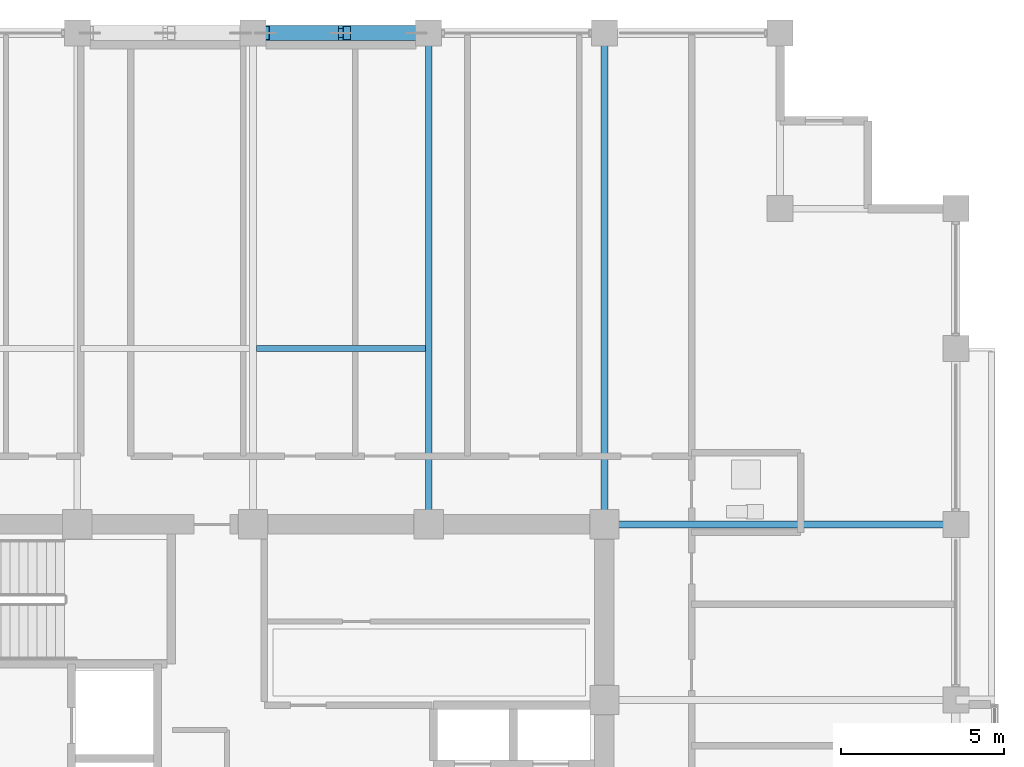
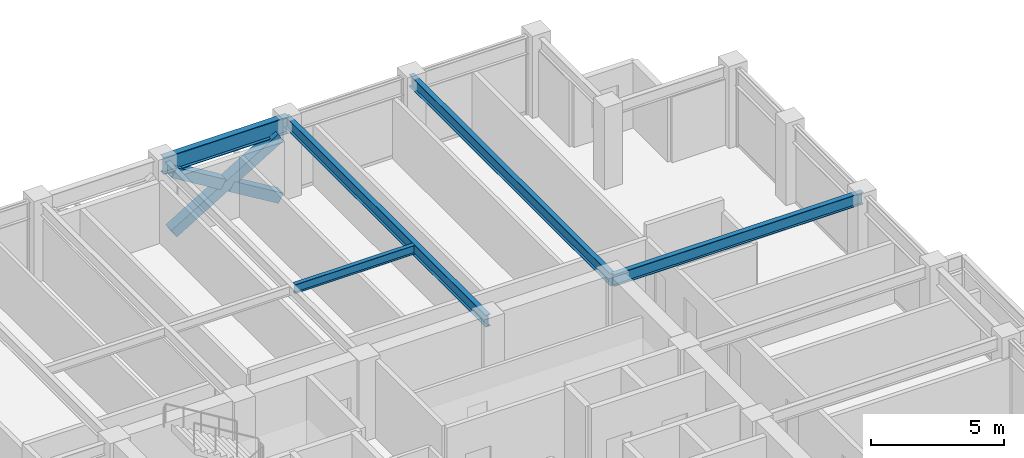
# One storey, part 18 of 28: 5 beams, 3 members.
"""IFC4 building model written with IfcOpenShell, lengths in metres."""

from ifc_helpers import new_model, si_unit, direction, frame, origin, origin_2d, place, context, subcontext, project, spatial, hollow_rectangle, i_section, extrude, material, material_profile, profile_set, type_object, element, save


model = new_model("IFC4")

# Units and contexts
model_context = context("Model", 3, precision=1e-05, world=origin(), true_north=direction((0.0, 1.0)))
body_context = subcontext(model_context, "Body", "Model", "MODEL_VIEW")
ifc_project = project(units=[si_unit("LENGTHUNIT", "METRE"), si_unit("AREAUNIT", "SQUARE_METRE"), si_unit("VOLUMEUNIT", "CUBIC_METRE"), si_unit("PLANEANGLEUNIT", "RADIAN"), si_unit("MASSUNIT", "GRAM", prefix="KILO")], contexts=[model_context])

# Site, building, storey
site_placement = place(None, origin())
site = spatial("IfcSite", under=ifc_project, at=site_placement, CompositionType="ELEMENT")
building_placement = place(site_placement, origin())
building = spatial("IfcBuilding", under=site, at=building_placement, Name="Surkhivell Harbour Commons", CompositionType="ELEMENT")
storey_placement = place(building_placement, frame((0.0, 0.0, 238.5)))
storey = spatial("IfcBuildingStorey", under=building, at=storey_placement, Name="L62", CompositionType="ELEMENT", Elevation=238.5)

# Beams
ifc_material_1 = material(Name="Steel S355", Category="steel")
ifc_material_profile_1 = material_profile(ifc_material_1, i_section(OverallWidth=0.2119140625, OverallDepth=0.5439453125, WebThickness=0.0126953125, FlangeThickness=0.021240234375, at=origin_2d()), Name="UB533x210x122")
ifc_profile_set_1 = profile_set([ifc_material_profile_1], Name="Steel S355")
beam_type_1 = type_object("IfcBeamType", Name="BM-GRD-533A", PredefinedType="BEAM", material=ifc_profile_set_1)
for number, where, z_axis, x_axis, name in (
    (1, (5.39990234375, 10.800048828125, 3.298095703125), (0.0, 1.0, 0.0), (-1.0, 0.0, 0.0), "L62 Floor Girder (5.4,10.8)"),
    (2, (10.800048828125, 10.800048828125, 3.298095703125), (0.0, 1.0, 0.0), (-1.0, 0.0, 0.0), "L62 Floor Girder (10.8,10.8)"),
):
    element("IfcBeam", number, at=place(storey_placement, frame(where, z_axis=z_axis, x_axis=x_axis)), inside=storey, type_object=beam_type_1, Name=name, PredefinedType="BEAM", context=body_context, shape_type="SweptSolid", body=[
        extrude(i_section(OverallWidth=0.2119140625, OverallDepth=0.5439453125, WebThickness=0.0126953125, FlangeThickness=0.021240234375, at=origin_2d()), origin(), (0.0, 0.0, 1.0), 15.099853515625),
    ])
beam_1_placement = place(storey_placement, frame((10.800048828125, 10.800048828125, 3.298095703125), z_axis=(1.0, 0.0, 0.0), x_axis=(0.0, 1.0, 0.0)))
element("IfcBeam", 3, at=beam_1_placement, inside=storey, type_object=beam_type_1, Name="L62 Floor Girder (10.8,10.8)", PredefinedType="BEAM", context=body_context, shape_type="SweptSolid", body=[
    extrude(i_section(OverallWidth=0.2119140625, OverallDepth=0.5439453125, WebThickness=0.0126953125, FlangeThickness=0.021240234375, at=origin_2d()), origin(), (0.0, 0.0, 1.0), 10.800048828125),
])
ifc_material_profile_2 = material_profile(ifc_material_1, i_section(OverallWidth=0.178955078125, OverallDepth=0.408935546875, WebThickness=0.0087890625, FlangeThickness=0.014404296875, at=origin_2d()), Name="UB406x178x67")
ifc_profile_set_2 = profile_set([ifc_material_profile_2], Name="Steel S355")
beam_type_2 = type_object("IfcBeamType", Name="BM-JST-406", PredefinedType="JOIST", material=ifc_profile_set_2)
beam_2_placement = place(storey_placement, frame((0.10400390625, 16.199951171875, 3.365478515625), z_axis=(1.0, 0.0, 0.0), x_axis=(0.0, 1.0, 0.0)))
element("IfcBeam", 4, at=beam_2_placement, inside=storey, type_object=beam_type_2, Name="L62 North Composite Joist (0.0)", PredefinedType="JOIST", context=body_context, shape_type="SweptSolid", body=[
    extrude(i_section(OverallWidth=0.178955078125, OverallDepth=0.408935546875, WebThickness=0.0087890625, FlangeThickness=0.014404296875, at=origin_2d()), origin(), (0.0, 0.0, 1.0), 5.19189453125),
])
ifc_material_profile_3 = material_profile(ifc_material_1, i_section(OverallWidth=0.26806640625, OverallDepth=0.77001953125, WebThickness=0.015625, FlangeThickness=0.025390625, at=origin_2d()), Name="UB762x267x197")
ifc_profile_set_3 = profile_set([ifc_material_profile_3], Name="Steel S355")
beam_type_3 = type_object("IfcBeamType", Name="BM-SPN-762", PredefinedType="SPANDREL", material=ifc_profile_set_3)
beam_3_placement = place(storey_placement, frame((0.0, 25.89990234375, 3.18505859375), z_axis=(1.0, 0.0, 0.0), x_axis=(0.0, 1.0, 0.0)))
element("IfcBeam", 5, at=beam_3_placement, inside=storey, type_object=beam_type_3, Name="L62 Tube Spandrel (-0.0,25.9)", PredefinedType="SPANDREL", context=body_context, shape_type="SweptSolid", body=[
    extrude(i_section(OverallWidth=0.26806640625, OverallDepth=0.77001953125, WebThickness=0.015625, FlangeThickness=0.025390625, at=origin_2d()), origin(), (0.0, 0.0, 1.0), 5.39990234375),
])

# Members
ifc_material_2 = material(Name="Steel S460", Category="steel")
ifc_material_profile_4 = material_profile(ifc_material_2, hollow_rectangle(XDim=0.449951171875, YDim=0.449951171875, WallThickness=0.02197265625, at=origin_2d()), Name="SHS450x450x22")
ifc_profile_set_4 = profile_set([ifc_material_profile_4], Name="Steel S460")
member_type = type_object("IfcMemberType", Name="MEM-BRC-SHS450", PredefinedType="BRACE", material=ifc_profile_set_4)
member_1_placement = place(storey_placement, frame((0.385009765625, 25.89990234375, 0.008056640625), z_axis=(0.856023742961, 0.0, 0.516936506243), x_axis=(0.0, 1.0, 0.0)))
element("IfcMember", 6, at=member_1_placement, inside=storey, type_object=member_type, Name="L62 Perimeter Mega-Brace MB- 04", PredefinedType="BRACE", context=body_context, shape_type="SweptSolid", body=[
    extrude(hollow_rectangle(XDim=0.449951171875, YDim=0.449951171875, WallThickness=0.02197265625, at=origin_2d()), origin(), (0.0, 0.0, 1.0), 5.40869140625),
])
member_2_placement = place(storey_placement, frame((5.014892578125, 25.89990234375, 0.008056640625), z_axis=(-0.856034952881, 0.0, 0.516917942662), x_axis=(0.0, -1.0, 0.0)))
element("IfcMember", 7, at=member_2_placement, inside=storey, type_object=member_type, Name="L62 Perimeter Mega-Brace MB- 05", PredefinedType="BRACE", context=body_context, shape_type="SweptSolid", body=[
    extrude(hollow_rectangle(XDim=0.449951171875, YDim=0.449951171875, WallThickness=0.02197265625, at=origin_2d()), origin(), (0.0, 0.0, 1.0), 2.488037109375),
])
member_3_placement = place(storey_placement, frame((2.51513671875, 25.89990234375, 1.517578125), z_axis=(-0.856017753989, 0.0, 0.516946423584), x_axis=(0.0, -1.0, 0.0)))
element("IfcMember", 8, at=member_3_placement, inside=storey, type_object=member_type, Name="L62 Perimeter Mega-Brace MB- 06", PredefinedType="BRACE", context=body_context, shape_type="SweptSolid", body=[
    extrude(hollow_rectangle(XDim=0.449951171875, YDim=0.449951171875, WallThickness=0.02197265625, at=origin_2d()), origin(), (0.0, 0.0, 1.0), 2.488525390625),
])

save(model, "model.ifc")
